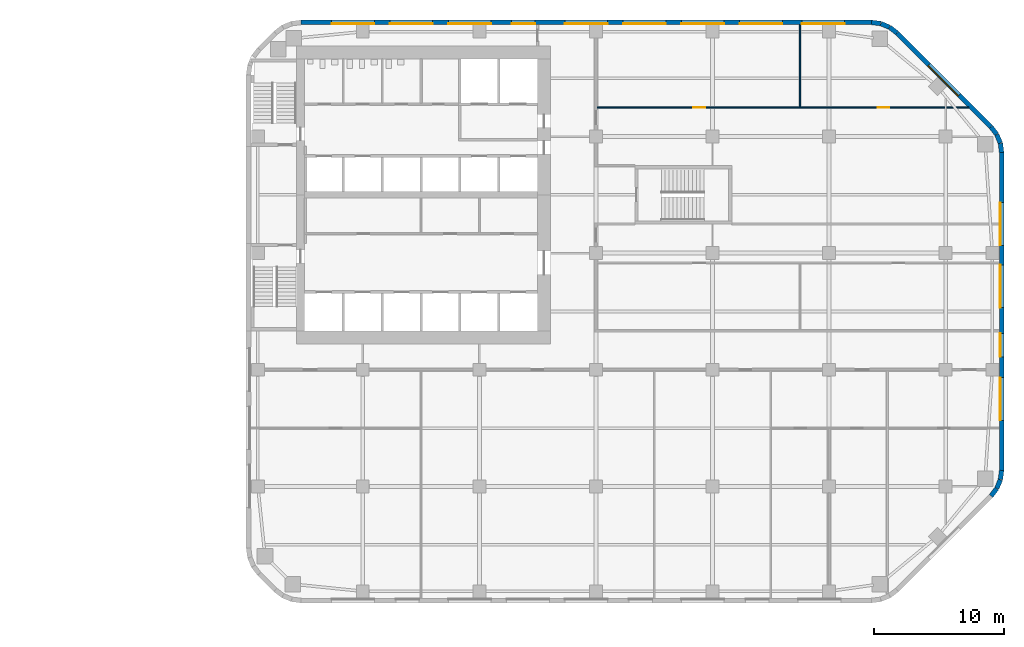
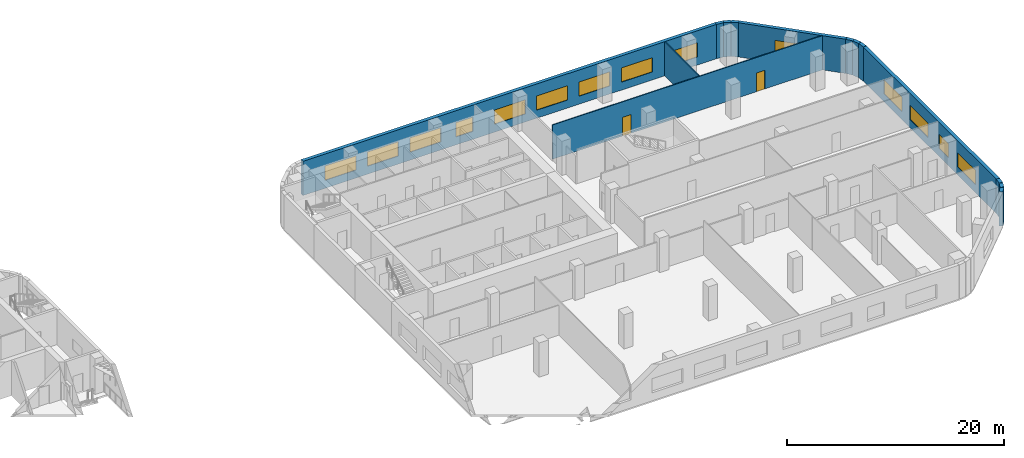
# One storey, part 12 of 16: 14 walls, 14 windows, 2 doors, 16 openings.
"""IFC4 building model written with IfcOpenShell, lengths in metres."""

from ifc_helpers import new_model, si_unit, direction, frame, frame_2d, origin, place, context, subcontext, project, spatial, rectangle, extrude, material, layer, layer_set, type_object, element, fill, save


model = new_model("IFC4")

# Units and contexts
model_context = context("Model", 3, precision=1e-05, world=origin(), true_north=direction((0.0, 1.0)))
body_context = subcontext(model_context, "Body", "Model", "MODEL_VIEW")
ifc_project = project(units=[si_unit("LENGTHUNIT", "METRE"), si_unit("AREAUNIT", "SQUARE_METRE"), si_unit("VOLUMEUNIT", "CUBIC_METRE"), si_unit("PLANEANGLEUNIT", "RADIAN"), si_unit("MASSUNIT", "GRAM", prefix="KILO")], contexts=[model_context])

# Site, building, storey
site_placement = place(None, origin())
site = spatial("IfcSite", under=ifc_project, at=site_placement, CompositionType="ELEMENT")
building_placement = place(site_placement, origin())
building = spatial("IfcBuilding", under=site, at=building_placement, Name="Cinnabar Reach Civic Tower", CompositionType="ELEMENT")
storey_placement = place(building_placement, frame((0.0, 0.0, 34.0)))
storey = spatial("IfcBuildingStorey", under=building, at=storey_placement, Name="L07", CompositionType="ELEMENT", Elevation=34.0)

# Walls
ifc_material_1 = material(Name="Facing brick with insulated backing", Category="masonry")
ifc_layer_1 = layer(ifc_material_1, 0.36)
ifc_layer_set_1 = layer_set([ifc_layer_1], Name="Brick corner wall")
wall_type_1 = type_object("IfcWallType", Name="Brick corner wall", PredefinedType="STANDARD", material=ifc_layer_set_1)
wall_1_placement = place(storey_placement, frame((57.4998, 8.2587, 0.0), z_axis=(0.0, 0.0, 1.0), x_axis=(0.608802368033, 0.793321924995, 0.0)))
element("IfcWall", 1, at=wall_1_placement, inside=storey, type_object=wall_type_1, Name="Brick corner wall", PredefinedType="STANDARD", context=body_context, shape_type="SweptSolid", body=[
    extrude(rectangle(XDim=0.7132, YDim=0.36, at=frame_2d((0.3566, 0.0))), origin(), (0.0, 0.0, 1.0), 3.85),
])
for number, where, z_axis, x_axis, name in (
    (2, (57.9452, 8.8439, 0.0), (0.0, 0.0, 1.0), (0.382702709855, 0.923871547278, 0.0), "Brick corner wall"),
    (3, (58.2239, 9.5244, 0.0), (0.0, 0.0, 1.0), (0.13055608231, 0.99144092581, 0.0), "Brick corner wall"),
    (4, (58.317, 34.7686, 0.0), (0.0, 0.0, 1.0), (-0.13055608231, 0.99144092581, 0.0), "Brick corner wall"),
    (5, (58.2181, 35.4973, 0.0), (0.0, 0.0, 1.0), (-0.382702709855, 0.923871547278, 0.0), "Brick corner wall"),
):
    element("IfcWall", number, at=place(storey_placement, frame(where, z_axis=z_axis, x_axis=x_axis)), inside=storey, type_object=wall_type_1, Name=name, PredefinedType="STANDARD", context=body_context, shape_type="SweptSolid", body=[
        extrude(rectangle(XDim=0.7131, YDim=0.36, at=frame_2d((0.3565, 0.0))), origin(), (0.0, 0.0, 1.0), 3.85),
    ])
for number, where, z_axis, x_axis, name in (
    (6, (57.934, 36.1755, 0.0), (0.0, 0.0, 1.0), (-0.608802368033, 0.793321924995, 0.0), "Brick corner wall"),
    (7, (50.2413, 43.9998, 0.0), (0.0, 0.0, 1.0), (-0.793321924995, 0.608802368033, 0.0), "Brick corner wall"),
):
    element("IfcWall", number, at=place(storey_placement, frame(where, z_axis=z_axis, x_axis=x_axis)), inside=storey, type_object=wall_type_1, Name=name, PredefinedType="STANDARD", context=body_context, shape_type="SweptSolid", body=[
        extrude(rectangle(XDim=0.7132, YDim=0.36, at=frame_2d((0.3566, 0.0))), origin(), (0.0, 0.0, 1.0), 3.85),
    ])
for number, where, z_axis, x_axis, name in (
    (8, (49.6561, 44.4452, 0.0), (0.0, 0.0, 1.0), (-0.923871547278, 0.382702709855, 0.0), "Brick corner wall"),
    (9, (48.9756, 44.7239, 0.0), (0.0, 0.0, 1.0), (-0.99144092581, 0.13055608231, 0.0), "Brick corner wall"),
):
    element("IfcWall", number, at=place(storey_placement, frame(where, z_axis=z_axis, x_axis=x_axis)), inside=storey, type_object=wall_type_1, Name=name, PredefinedType="STANDARD", context=body_context, shape_type="SweptSolid", body=[
        extrude(rectangle(XDim=0.7131, YDim=0.36, at=frame_2d((0.3565, 0.0))), origin(), (0.0, 0.0, 1.0), 3.85),
    ])

# Wall, openings, windows
ifc_layer_2 = layer(ifc_material_1, 0.36)
ifc_layer_set_2 = layer_set([ifc_layer_2], Name="Brick pier and spandrel wall")
wall_type_2 = type_object("IfcWallType", Name="Brick pier and spandrel wall", PredefinedType="STANDARD", material=ifc_layer_set_2)
wall_2_placement = place(storey_placement, frame((58.32, 10.2426, 0.0), z_axis=(0.0, 0.0, 1.0), x_axis=(0.0, 1.0, 0.0)))
wall_2 = element("IfcWall", 10, at=wall_2_placement, inside=storey, type_object=wall_type_2, Name="Brick facade wall", PredefinedType="STANDARD", context=body_context, shape_type="SweptSolid", body=[
    extrude(rectangle(XDim=24.5148, YDim=0.36, at=frame_2d((12.2574, 0.0))), origin(), (0.0, 0.0, 1.0), 3.85),
])
opening_1_placement = place(wall_2_placement, frame((3.8574, 0.0, 0.9)))
opening_1 = element("IfcOpeningElement", 11, at=opening_1_placement, cuts=wall_2, Name="Opening W1061", PredefinedType="OPENING", context=body_context, shape_type="SweptSolid", body=[
    extrude(rectangle(XDim=3.3, YDim=1.6, at=frame_2d((1.65, 0.8))), frame((0.0, 0.19, 0.0), z_axis=(0.0, -1.0, 0.0), x_axis=(1.0, 0.0, 0.0)), (0.0, 0.0, 1.0), 0.38),
])
opening_2_placement = place(wall_2_placement, frame((8.7574, 0.0, 0.9)))
opening_2 = element("IfcOpeningElement", 12, at=opening_2_placement, cuts=wall_2, Name="Opening W1062", PredefinedType="OPENING", context=body_context, shape_type="SweptSolid", body=[
    extrude(rectangle(XDim=1.8, YDim=1.6, at=frame_2d((0.9, 0.8))), frame((0.0, 0.19, 0.0), z_axis=(0.0, -1.0, 0.0), x_axis=(1.0, 0.0, 0.0)), (0.0, 0.0, 1.0), 0.38),
])
opening_3_placement = place(wall_2_placement, frame((12.5574, 0.0, 0.9)))
opening_3 = element("IfcOpeningElement", 13, at=opening_3_placement, cuts=wall_2, Name="Opening W1063", PredefinedType="OPENING", context=body_context, shape_type="SweptSolid", body=[
    extrude(rectangle(XDim=3.3, YDim=1.6, at=frame_2d((1.65, 0.8))), frame((0.0, 0.19, 0.0), z_axis=(0.0, -1.0, 0.0), x_axis=(1.0, 0.0, 0.0)), (0.0, 0.0, 1.0), 0.38),
])
opening_4_placement = place(wall_2_placement, frame((17.3574, 0.0, 0.9)))
opening_4 = element("IfcOpeningElement", 14, at=opening_4_placement, cuts=wall_2, Name="Opening W1064", PredefinedType="OPENING", context=body_context, shape_type="SweptSolid", body=[
    extrude(rectangle(XDim=3.3, YDim=1.6, at=frame_2d((1.65, 0.8))), frame((0.0, 0.19, 0.0), z_axis=(0.0, -1.0, 0.0), x_axis=(1.0, 0.0, 0.0)), (0.0, 0.0, 1.0), 0.38),
])
ifc_material_2 = material(Name="Clear double glazing in aluminium frame", Category="aluminium")
window_type_1 = type_object("IfcWindowType", Name="Deep-set window A", PartitioningType="SINGLE_PANEL", PredefinedType="WINDOW", material=ifc_material_2)
window_1_placement = place(opening_1_placement, origin())
window_1 = element("IfcWindow", 15, at=window_1_placement, inside=storey, type_object=window_type_1, Name="Window east face", OverallHeight=1.6, OverallWidth=3.3, PartitioningType="SINGLE_PANEL", PredefinedType="WINDOW", context=body_context, shape_type="SweptSolid", body=[
    extrude(rectangle(XDim=3.3, YDim=1.6, at=frame_2d((1.65, 0.8))), frame((0.0, 0.13, 0.0), z_axis=(0.0, -1.0, 0.0), x_axis=(1.0, 0.0, 0.0)), (0.0, 0.0, 1.0), 0.06),
])
fill(opening_1, window_1)
window_2_placement = place(opening_3_placement, origin())
window_2 = element("IfcWindow", 16, at=window_2_placement, inside=storey, type_object=window_type_1, Name="Window east face", OverallHeight=1.6, OverallWidth=3.3, PartitioningType="SINGLE_PANEL", PredefinedType="WINDOW", context=body_context, shape_type="SweptSolid", body=[
    extrude(rectangle(XDim=3.3, YDim=1.6, at=frame_2d((1.65, 0.8))), frame((0.0, 0.13, 0.0), z_axis=(0.0, -1.0, 0.0), x_axis=(1.0, 0.0, 0.0)), (0.0, 0.0, 1.0), 0.06),
])
fill(opening_3, window_2)
window_3_placement = place(opening_4_placement, origin())
window_3 = element("IfcWindow", 17, at=window_3_placement, inside=storey, type_object=window_type_1, Name="Window east face", OverallHeight=1.6, OverallWidth=3.3, PartitioningType="SINGLE_PANEL", PredefinedType="WINDOW", context=body_context, shape_type="SweptSolid", body=[
    extrude(rectangle(XDim=3.3, YDim=1.6, at=frame_2d((1.65, 0.8))), frame((0.0, 0.13, 0.0), z_axis=(0.0, -1.0, 0.0), x_axis=(1.0, 0.0, 0.0)), (0.0, 0.0, 1.0), 0.06),
])
fill(opening_4, window_3)
window_type_2 = type_object("IfcWindowType", Name="Deep-set window D", PartitioningType="SINGLE_PANEL", PredefinedType="WINDOW", material=ifc_material_2)
window_4_placement = place(opening_2_placement, origin())
window_4 = element("IfcWindow", 18, at=window_4_placement, inside=storey, type_object=window_type_2, Name="Window east face", OverallHeight=1.6, OverallWidth=1.8, PartitioningType="SINGLE_PANEL", PredefinedType="WINDOW", context=body_context, shape_type="SweptSolid", body=[
    extrude(rectangle(XDim=1.8, YDim=1.6, at=frame_2d((0.9, 0.8))), frame((0.0, 0.13, 0.0), z_axis=(0.0, -1.0, 0.0), x_axis=(1.0, 0.0, 0.0)), (0.0, 0.0, 1.0), 0.06),
])
fill(opening_2, window_4)

# Wall, opening, window
wall_3_placement = place(storey_placement, frame((57.494, 36.7514, 0.0), z_axis=(0.0, 0.0, 1.0), x_axis=(-0.707106781187, 0.707106781187, 0.0)))
wall_3 = element("IfcWall", 19, at=wall_3_placement, inside=storey, type_object=wall_type_2, Name="Brick facade wall", PredefinedType="STANDARD", context=body_context, shape_type="SweptSolid", body=[
    extrude(rectangle(XDim=10.2426, YDim=0.36, at=frame_2d((5.1213, 0.0))), origin(), (0.0, 0.0, 1.0), 3.85),
])
opening_5_placement = place(wall_3_placement, frame((3.4713, 0.0, 0.9)))
opening_5 = element("IfcOpeningElement", 20, at=opening_5_placement, cuts=wall_3, Name="Opening W1065", PredefinedType="OPENING", context=body_context, shape_type="SweptSolid", body=[
    extrude(rectangle(XDim=3.3, YDim=1.6, at=frame_2d((1.65, 0.8))), frame((0.0, 0.19, 0.0), z_axis=(0.0, -1.0, 0.0), x_axis=(1.0, 0.0, 0.0)), (0.0, 0.0, 1.0), 0.38),
])
window_5_placement = place(opening_5_placement, origin())
window_5 = element("IfcWindow", 21, at=window_5_placement, inside=storey, type_object=window_type_1, Name="Window northeast face", OverallHeight=1.6, OverallWidth=3.3, PartitioningType="SINGLE_PANEL", PredefinedType="WINDOW", context=body_context, shape_type="SweptSolid", body=[
    extrude(rectangle(XDim=3.3, YDim=1.6, at=frame_2d((1.65, 0.8))), frame((0.0, 0.13, 0.0), z_axis=(0.0, -1.0, 0.0), x_axis=(1.0, 0.0, 0.0)), (0.0, 0.0, 1.0), 0.06),
])
fill(opening_5, window_5)

# Wall, openings, windows
wall_4_placement = place(storey_placement, frame((48.2574, 44.82, 0.0), z_axis=(0.0, 0.0, 1.0), x_axis=(-1.0, 0.0, 0.0)))
wall_4 = element("IfcWall", 22, at=wall_4_placement, inside=storey, type_object=wall_type_2, Name="Brick facade wall", PredefinedType="STANDARD", context=body_context, shape_type="SweptSolid", body=[
    extrude(rectangle(XDim=44.0148, YDim=0.36, at=frame_2d((22.0074, 0.0))), origin(), (0.0, 0.0, 1.0), 3.85),
])
opening_6_placement = place(wall_4_placement, frame((2.0574, 0.0, 0.9)))
opening_6 = element("IfcOpeningElement", 23, at=opening_6_placement, cuts=wall_4, Name="Opening W1066", PredefinedType="OPENING", context=body_context, shape_type="SweptSolid", body=[
    extrude(rectangle(XDim=3.3, YDim=1.6, at=frame_2d((1.65, 0.8))), frame((0.0, 0.19, 0.0), z_axis=(0.0, -1.0, 0.0), x_axis=(1.0, 0.0, 0.0)), (0.0, 0.0, 1.0), 0.38),
])
opening_7_placement = place(wall_4_placement, frame((6.8574, 0.0, 0.9)))
opening_7 = element("IfcOpeningElement", 24, at=opening_7_placement, cuts=wall_4, Name="Opening W1067", PredefinedType="OPENING", context=body_context, shape_type="SweptSolid", body=[
    extrude(rectangle(XDim=3.3, YDim=1.6, at=frame_2d((1.65, 0.8))), frame((0.0, 0.19, 0.0), z_axis=(0.0, -1.0, 0.0), x_axis=(1.0, 0.0, 0.0)), (0.0, 0.0, 1.0), 0.38),
])
opening_8_placement = place(wall_4_placement, frame((11.3574, 0.0, 0.9)))
opening_8 = element("IfcOpeningElement", 25, at=opening_8_placement, cuts=wall_4, Name="Opening W1068", PredefinedType="OPENING", context=body_context, shape_type="SweptSolid", body=[
    extrude(rectangle(XDim=3.3, YDim=1.6, at=frame_2d((1.65, 0.8))), frame((0.0, 0.19, 0.0), z_axis=(0.0, -1.0, 0.0), x_axis=(1.0, 0.0, 0.0)), (0.0, 0.0, 1.0), 0.38),
])
opening_9_placement = place(wall_4_placement, frame((15.8574, 0.0, 0.9)))
opening_9 = element("IfcOpeningElement", 26, at=opening_9_placement, cuts=wall_4, Name="Opening W1069", PredefinedType="OPENING", context=body_context, shape_type="SweptSolid", body=[
    extrude(rectangle(XDim=3.3, YDim=1.6, at=frame_2d((1.65, 0.8))), frame((0.0, 0.19, 0.0), z_axis=(0.0, -1.0, 0.0), x_axis=(1.0, 0.0, 0.0)), (0.0, 0.0, 1.0), 0.38),
])
opening_10_placement = place(wall_4_placement, frame((20.3574, 0.0, 0.9)))
opening_10 = element("IfcOpeningElement", 27, at=opening_10_placement, cuts=wall_4, Name="Opening W1070", PredefinedType="OPENING", context=body_context, shape_type="SweptSolid", body=[
    extrude(rectangle(XDim=3.3, YDim=1.6, at=frame_2d((1.65, 0.8))), frame((0.0, 0.19, 0.0), z_axis=(0.0, -1.0, 0.0), x_axis=(1.0, 0.0, 0.0)), (0.0, 0.0, 1.0), 0.38),
])
opening_11_placement = place(wall_4_placement, frame((25.9574, 0.0, 0.9)))
opening_11 = element("IfcOpeningElement", 28, at=opening_11_placement, cuts=wall_4, Name="Opening W1071", PredefinedType="OPENING", context=body_context, shape_type="SweptSolid", body=[
    extrude(rectangle(XDim=1.8, YDim=1.6, at=frame_2d((0.9, 0.8))), frame((0.0, 0.19, 0.0), z_axis=(0.0, -1.0, 0.0), x_axis=(1.0, 0.0, 0.0)), (0.0, 0.0, 1.0), 0.38),
])
opening_12_placement = place(wall_4_placement, frame((29.3574, 0.0, 0.9)))
opening_12 = element("IfcOpeningElement", 29, at=opening_12_placement, cuts=wall_4, Name="Opening W1072", PredefinedType="OPENING", context=body_context, shape_type="SweptSolid", body=[
    extrude(rectangle(XDim=3.3, YDim=1.6, at=frame_2d((1.65, 0.8))), frame((0.0, 0.19, 0.0), z_axis=(0.0, -1.0, 0.0), x_axis=(1.0, 0.0, 0.0)), (0.0, 0.0, 1.0), 0.38),
])
opening_13_placement = place(wall_4_placement, frame((33.8574, 0.0, 0.9)))
opening_13 = element("IfcOpeningElement", 30, at=opening_13_placement, cuts=wall_4, Name="Opening W1073", PredefinedType="OPENING", context=body_context, shape_type="SweptSolid", body=[
    extrude(rectangle(XDim=3.3, YDim=1.6, at=frame_2d((1.65, 0.8))), frame((0.0, 0.19, 0.0), z_axis=(0.0, -1.0, 0.0), x_axis=(1.0, 0.0, 0.0)), (0.0, 0.0, 1.0), 0.38),
])
opening_14_placement = place(wall_4_placement, frame((38.3574, 0.0, 0.9)))
opening_14 = element("IfcOpeningElement", 31, at=opening_14_placement, cuts=wall_4, Name="Opening W1074", PredefinedType="OPENING", context=body_context, shape_type="SweptSolid", body=[
    extrude(rectangle(XDim=3.3, YDim=1.6, at=frame_2d((1.65, 0.8))), frame((0.0, 0.19, 0.0), z_axis=(0.0, -1.0, 0.0), x_axis=(1.0, 0.0, 0.0)), (0.0, 0.0, 1.0), 0.38),
])
window_6_placement = place(opening_6_placement, origin())
window_6 = element("IfcWindow", 32, at=window_6_placement, inside=storey, type_object=window_type_1, Name="Window north face", OverallHeight=1.6, OverallWidth=3.3, PartitioningType="SINGLE_PANEL", PredefinedType="WINDOW", context=body_context, shape_type="SweptSolid", body=[
    extrude(rectangle(XDim=3.3, YDim=1.6, at=frame_2d((1.65, 0.8))), frame((0.0, 0.13, 0.0), z_axis=(0.0, -1.0, 0.0), x_axis=(1.0, 0.0, 0.0)), (0.0, 0.0, 1.0), 0.06),
])
fill(opening_6, window_6)
window_7_placement = place(opening_7_placement, origin())
window_7 = element("IfcWindow", 33, at=window_7_placement, inside=storey, type_object=window_type_1, Name="Window north face", OverallHeight=1.6, OverallWidth=3.3, PartitioningType="SINGLE_PANEL", PredefinedType="WINDOW", context=body_context, shape_type="SweptSolid", body=[
    extrude(rectangle(XDim=3.3, YDim=1.6, at=frame_2d((1.65, 0.8))), frame((0.0, 0.13, 0.0), z_axis=(0.0, -1.0, 0.0), x_axis=(1.0, 0.0, 0.0)), (0.0, 0.0, 1.0), 0.06),
])
fill(opening_7, window_7)
window_8_placement = place(opening_8_placement, origin())
window_8 = element("IfcWindow", 34, at=window_8_placement, inside=storey, type_object=window_type_1, Name="Window north face", OverallHeight=1.6, OverallWidth=3.3, PartitioningType="SINGLE_PANEL", PredefinedType="WINDOW", context=body_context, shape_type="SweptSolid", body=[
    extrude(rectangle(XDim=3.3, YDim=1.6, at=frame_2d((1.65, 0.8))), frame((0.0, 0.13, 0.0), z_axis=(0.0, -1.0, 0.0), x_axis=(1.0, 0.0, 0.0)), (0.0, 0.0, 1.0), 0.06),
])
fill(opening_8, window_8)
window_9_placement = place(opening_9_placement, origin())
window_9 = element("IfcWindow", 35, at=window_9_placement, inside=storey, type_object=window_type_1, Name="Window north face", OverallHeight=1.6, OverallWidth=3.3, PartitioningType="SINGLE_PANEL", PredefinedType="WINDOW", context=body_context, shape_type="SweptSolid", body=[
    extrude(rectangle(XDim=3.3, YDim=1.6, at=frame_2d((1.65, 0.8))), frame((0.0, 0.13, 0.0), z_axis=(0.0, -1.0, 0.0), x_axis=(1.0, 0.0, 0.0)), (0.0, 0.0, 1.0), 0.06),
])
fill(opening_9, window_9)
window_10_placement = place(opening_10_placement, origin())
window_10 = element("IfcWindow", 36, at=window_10_placement, inside=storey, type_object=window_type_1, Name="Window north face", OverallHeight=1.6, OverallWidth=3.3, PartitioningType="SINGLE_PANEL", PredefinedType="WINDOW", context=body_context, shape_type="SweptSolid", body=[
    extrude(rectangle(XDim=3.3, YDim=1.6, at=frame_2d((1.65, 0.8))), frame((0.0, 0.13, 0.0), z_axis=(0.0, -1.0, 0.0), x_axis=(1.0, 0.0, 0.0)), (0.0, 0.0, 1.0), 0.06),
])
fill(opening_10, window_10)
window_11_placement = place(opening_12_placement, origin())
window_11 = element("IfcWindow", 37, at=window_11_placement, inside=storey, type_object=window_type_1, Name="Window north face", OverallHeight=1.6, OverallWidth=3.3, PartitioningType="SINGLE_PANEL", PredefinedType="WINDOW", context=body_context, shape_type="SweptSolid", body=[
    extrude(rectangle(XDim=3.3, YDim=1.6, at=frame_2d((1.65, 0.8))), frame((0.0, 0.13, 0.0), z_axis=(0.0, -1.0, 0.0), x_axis=(1.0, 0.0, 0.0)), (0.0, 0.0, 1.0), 0.06),
])
fill(opening_12, window_11)
window_12_placement = place(opening_13_placement, origin())
window_12 = element("IfcWindow", 38, at=window_12_placement, inside=storey, type_object=window_type_1, Name="Window north face", OverallHeight=1.6, OverallWidth=3.3, PartitioningType="SINGLE_PANEL", PredefinedType="WINDOW", context=body_context, shape_type="SweptSolid", body=[
    extrude(rectangle(XDim=3.3, YDim=1.6, at=frame_2d((1.65, 0.8))), frame((0.0, 0.13, 0.0), z_axis=(0.0, -1.0, 0.0), x_axis=(1.0, 0.0, 0.0)), (0.0, 0.0, 1.0), 0.06),
])
fill(opening_13, window_12)
window_13_placement = place(opening_14_placement, origin())
window_13 = element("IfcWindow", 39, at=window_13_placement, inside=storey, type_object=window_type_1, Name="Window north face", OverallHeight=1.6, OverallWidth=3.3, PartitioningType="SINGLE_PANEL", PredefinedType="WINDOW", context=body_context, shape_type="SweptSolid", body=[
    extrude(rectangle(XDim=3.3, YDim=1.6, at=frame_2d((1.65, 0.8))), frame((0.0, 0.13, 0.0), z_axis=(0.0, -1.0, 0.0), x_axis=(1.0, 0.0, 0.0)), (0.0, 0.0, 1.0), 0.06),
])
fill(opening_14, window_13)
window_14_placement = place(opening_11_placement, origin())
window_14 = element("IfcWindow", 40, at=window_14_placement, inside=storey, type_object=window_type_2, Name="Window north face", OverallHeight=1.6, OverallWidth=1.8, PartitioningType="SINGLE_PANEL", PredefinedType="WINDOW", context=body_context, shape_type="SweptSolid", body=[
    extrude(rectangle(XDim=1.8, YDim=1.6, at=frame_2d((0.9, 0.8))), frame((0.0, 0.13, 0.0), z_axis=(0.0, -1.0, 0.0), x_axis=(1.0, 0.0, 0.0)), (0.0, 0.0, 1.0), 0.06),
])
fill(opening_11, window_14)

# Wall, openings, doors
ifc_material_3 = material(Name="Gypsum board on steel studs", Category="steel")
ifc_layer_3 = layer(ifc_material_3, 0.1)
ifc_layer_set_3 = layer_set([ifc_layer_3], Name="Partition wall 100 T1")
wall_type_3 = type_object("IfcWallType", Name="Partition wall 100 T1", PredefinedType="PARTITIONING", material=ifc_layer_set_3)
wall_5_placement = place(storey_placement, frame((27.075, 38.25, 0.0), z_axis=(0.0, 0.0, 1.0), x_axis=(1.0, 0.0, 0.0)))
wall_5 = element("IfcWall", 41, at=wall_5_placement, inside=storey, type_object=wall_type_3, Name="Partition wall 43", PredefinedType="PARTITIONING", context=body_context, shape_type="SweptSolid", body=[
    extrude(rectangle(XDim=28.7159, YDim=0.1, at=frame_2d((14.358, 0.0))), origin(), (0.0, 0.0, 1.0), 3.85),
])
opening_15_placement = place(wall_5_placement, frame((7.45, 0.0, 0.0)))
opening_15 = element("IfcOpeningElement", 42, at=opening_15_placement, cuts=wall_5, Name="Opening D3300", PredefinedType="OPENING", context=body_context, shape_type="SweptSolid", body=[
    extrude(rectangle(XDim=0.9, YDim=2.1, at=frame_2d((0.45, 1.05))), frame((0.0, 0.06, 0.0), z_axis=(0.0, -1.0, 0.0), x_axis=(1.0, 0.0, 0.0)), (0.0, 0.0, 1.0), 0.12),
])
opening_16_placement = place(wall_5_placement, frame((21.675, 0.0, 0.0)))
opening_16 = element("IfcOpeningElement", 43, at=opening_16_placement, cuts=wall_5, Name="Opening D3301", PredefinedType="OPENING", context=body_context, shape_type="SweptSolid", body=[
    extrude(rectangle(XDim=0.9, YDim=2.1, at=frame_2d((0.45, 1.05))), frame((0.0, 0.06, 0.0), z_axis=(0.0, -1.0, 0.0), x_axis=(1.0, 0.0, 0.0)), (0.0, 0.0, 1.0), 0.12),
])
ifc_material_4 = material(Name="Timber door leaf in steel frame", Category="steel")
door_type = type_object("IfcDoorType", Name="Single swing door 900 x 2100 T1", OperationType="SINGLE_SWING_LEFT", PredefinedType="DOOR", material=ifc_material_4)
door_1_placement = place(opening_15_placement, origin())
door_1 = element("IfcDoor", 44, at=door_1_placement, inside=storey, type_object=door_type, Name="Door D3300", OperationType="SINGLE_SWING_LEFT", OverallHeight=2.1, OverallWidth=0.9, PredefinedType="DOOR", context=body_context, shape_type="SweptSolid", body=[
    extrude(rectangle(XDim=0.9, YDim=2.1, at=frame_2d((0.45, 1.05))), frame((0.0, 0.025, 0.0), z_axis=(0.0, -1.0, 0.0), x_axis=(1.0, 0.0, 0.0)), (0.0, 0.0, 1.0), 0.05),
])
fill(opening_15, door_1)
door_2_placement = place(opening_16_placement, origin())
door_2 = element("IfcDoor", 45, at=door_2_placement, inside=storey, type_object=door_type, Name="Door D3301", OperationType="SINGLE_SWING_LEFT", OverallHeight=2.1, OverallWidth=0.9, PredefinedType="DOOR", context=body_context, shape_type="SweptSolid", body=[
    extrude(rectangle(XDim=0.9, YDim=2.1, at=frame_2d((0.45, 1.05))), frame((0.0, 0.025, 0.0), z_axis=(0.0, -1.0, 0.0), x_axis=(1.0, 0.0, 0.0)), (0.0, 0.0, 1.0), 0.05),
])
fill(opening_16, door_2)

# Wall
wall_6_placement = place(storey_placement, frame((42.75, 38.3, 0.0), z_axis=(0.0, 0.0, 1.0), x_axis=(0.0, 1.0, 0.0)))
element("IfcWall", 46, at=wall_6_placement, inside=storey, type_object=wall_type_3, Name="Partition wall 53", PredefinedType="PARTITIONING", context=body_context, shape_type="SweptSolid", body=[
    extrude(rectangle(XDim=6.34, YDim=0.1, at=frame_2d((3.17, 0.0))), origin(), (0.0, 0.0, 1.0), 3.85),
])

save(model, "model.ifc")
